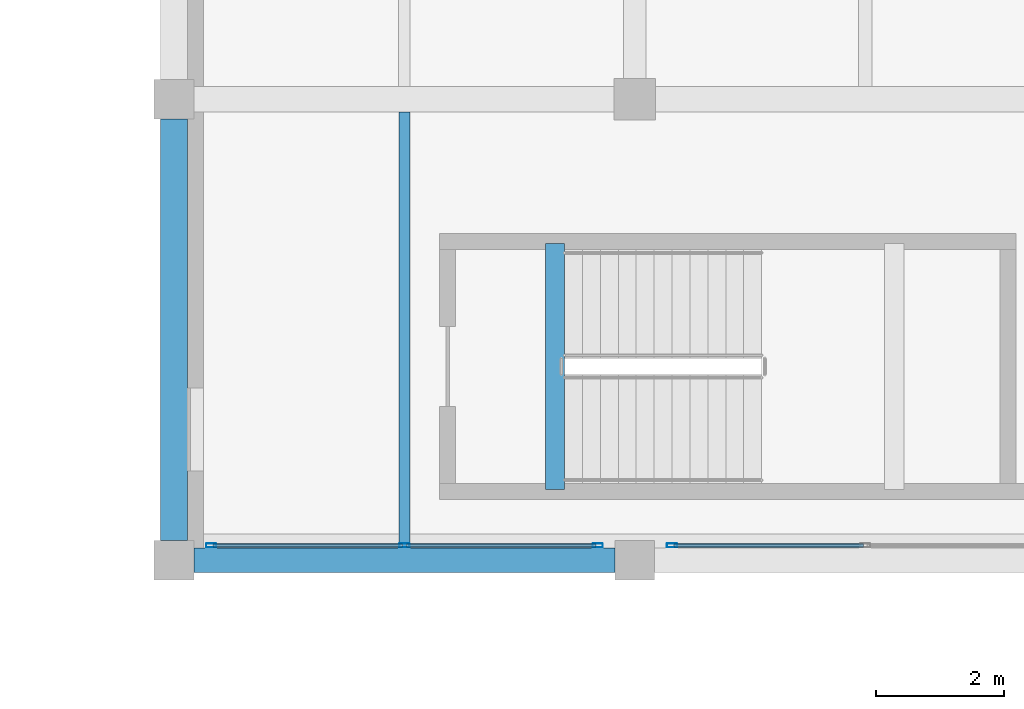
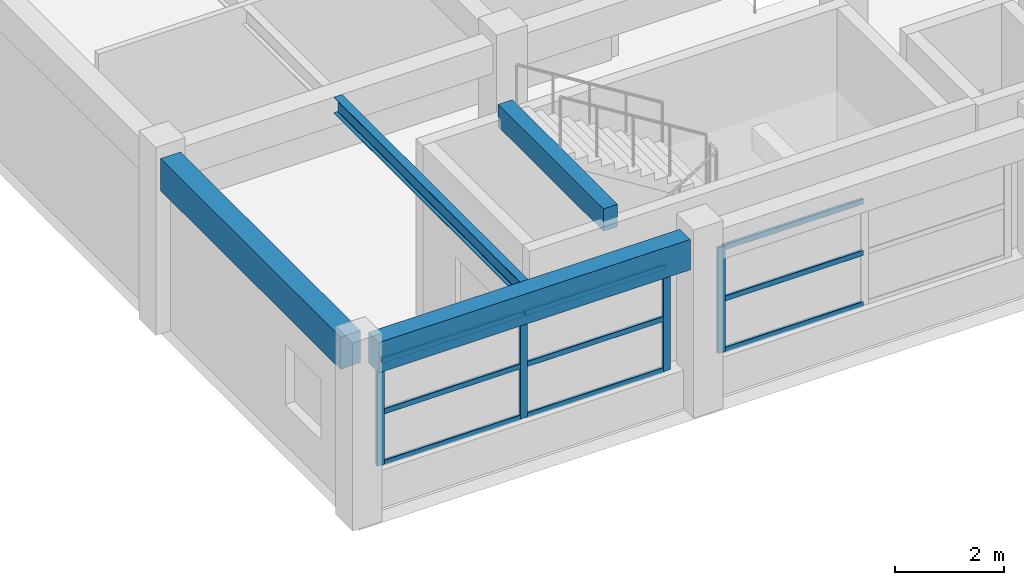
# One storey, part 20 of 67: 13 members, 4 beams, 2 elements without a shape of their own.
"""IFC4 building model written with IfcOpenShell, lengths in metres."""

from ifc_helpers import new_model, si_unit, direction, frame, origin, origin_2d, place, context, subcontext, project, spatial, rectangle, hollow_rectangle, i_section, extrude, material, material_profile, profile_set, type_object, element, aggregate, save


model = new_model("IFC4")

# Units and contexts
model_context = context("Model", 3, precision=1e-05, world=origin(), true_north=direction((0.0, 1.0)))
body_context = subcontext(model_context, "Body", "Model", "MODEL_VIEW")
ifc_project = project(units=[si_unit("LENGTHUNIT", "METRE"), si_unit("AREAUNIT", "SQUARE_METRE"), si_unit("VOLUMEUNIT", "CUBIC_METRE"), si_unit("PLANEANGLEUNIT", "RADIAN"), si_unit("MASSUNIT", "GRAM", prefix="KILO")], contexts=[model_context])

# Site, building, storey
site_placement = place(None, origin())
site = spatial("IfcSite", under=ifc_project, at=site_placement, CompositionType="ELEMENT")
building_placement = place(site_placement, origin())
building = spatial("IfcBuilding", under=site, at=building_placement, Name="Bramveld Media Centre", CompositionType="ELEMENT")
storey_placement = place(building_placement, frame((0.0, 0.0, 5.39990234375)))
storey = spatial("IfcBuildingStorey", under=building, at=storey_placement, Name="L01", CompositionType="ELEMENT", Elevation=5.39990234375)

# Beam
ifc_material_1 = material(Name="Concrete C40/50", Category="concrete")
ifc_material_profile_1 = material_profile(ifc_material_1, rectangle(XDim=0.300048828125, YDim=0.5, at=origin_2d()), Name="RC 300x500")
ifc_profile_set_1 = profile_set([ifc_material_profile_1], Name="Concrete C40/50")
beam_type_1 = type_object("IfcBeamType", Name="BM-INT-RC-300x500", PredefinedType="BEAM", material=ifc_profile_set_1)
beam_1_placement = place(storey_placement, frame((71.550048828125, 91.5, 3.9501953125), z_axis=(0.0, 1.0, 0.0), x_axis=(-1.0, 0.0, 0.0)))
element("IfcBeam", 1, at=beam_1_placement, inside=storey, type_object=beam_type_1, Name="ST-07 L02 stairwell landing trimmer beam", PredefinedType="BEAM", context=body_context, shape_type="SweptSolid", body=[
    extrude(rectangle(XDim=0.300048828125, YDim=0.5, at=origin_2d()), origin(), (0.0, 0.0, 1.0), 3.85009765625),
])

# Curtain wall, members
ifc_material_2 = material(Name="Thermally broken anodized bronze aluminium unitized curtain wall with solar-control triple glazing", Category="aluminium")
curtain_wall_type = type_object("IfcCurtainWallType", Name="CW-FACV6-6100x2350", PredefinedType="NOTDEFINED", material=ifc_material_2)
curtain_wall_1_placement = place(storey_placement, origin())
curtain_wall_1 = element("IfcCurtainWall", 2, at=curtain_wall_1_placement, inside=storey, type_object=curtain_wall_type, Name="V6 L01 S curtain wall bay 1", PredefinedType="NOTDEFINED")
ifc_material_3 = material(Name="Thermally broken anodized bronze aluminium EN AW-6063 T6 curtain-wall framing", Category="aluminium")
ifc_material_profile_2 = material_profile(ifc_material_3, hollow_rectangle(XDim=0.06005859375, YDim=0.159912109375, WallThickness=0.00390625, InnerFilletRadius=0.00390625, OuterFilletRadius=0.008056640625, at=origin_2d()), Name="AL-MULL 60x160")
ifc_profile_set_2 = profile_set([ifc_material_profile_2], Name="Thermally broken anodized bronze aluminium EN AW-6063 T6 curtain-wall framing")
member_type_1 = type_object("IfcMemberType", Name="CW-MULL-EXT", PredefinedType="MULLION", material=ifc_profile_set_2)
member_1_placement = place(storey_placement, frame((66.179931640625, 90.6298828125, 0.85009765625), z_axis=(0.0, 0.0, 1.0), x_axis=(0.0, 1.0, 0.0)))
member_1 = element("IfcMember", 3, at=member_1_placement, type_object=member_type_1, Name="CW-FA-6123 mullion 1", PredefinedType="MULLION", context=body_context, shape_type="SweptSolid", body=[
    extrude(hollow_rectangle(XDim=0.06005859375, YDim=0.159912109375, WallThickness=0.00390625, InnerFilletRadius=0.00390625, OuterFilletRadius=0.008056640625, at=origin_2d()), origin(), (0.0, 0.0, 1.0), 2.35009765625),
])
member_2_placement = place(storey_placement, frame((69.199951171875, 90.6298828125, 0.85009765625), z_axis=(0.0, 0.0, 1.0), x_axis=(0.0, 1.0, 0.0)))
member_2 = element("IfcMember", 4, at=member_2_placement, type_object=member_type_1, Name="CW-FA-6123 mullion 2", PredefinedType="MULLION", context=body_context, shape_type="SweptSolid", body=[
    extrude(hollow_rectangle(XDim=0.06005859375, YDim=0.159912109375, WallThickness=0.00390625, InnerFilletRadius=0.00390625, OuterFilletRadius=0.008056640625, at=origin_2d()), origin(), (0.0, 0.0, 1.0), 2.35009765625),
])
member_3_placement = place(storey_placement, frame((72.219970703125, 90.6298828125, 0.85009765625), z_axis=(0.0, 0.0, 1.0), x_axis=(0.0, 1.0, 0.0)))
member_3 = element("IfcMember", 5, at=member_3_placement, type_object=member_type_1, Name="CW-FA-6123 mullion 3", PredefinedType="MULLION", context=body_context, shape_type="SweptSolid", body=[
    extrude(hollow_rectangle(XDim=0.06005859375, YDim=0.159912109375, WallThickness=0.00390625, InnerFilletRadius=0.00390625, OuterFilletRadius=0.008056640625, at=origin_2d()), origin(), (0.0, 0.0, 1.0), 2.35009765625),
])

# Curtain wall, member
curtain_wall_2_placement = place(storey_placement, origin())
curtain_wall_2 = element("IfcCurtainWall", 6, at=curtain_wall_2_placement, inside=storey, type_object=curtain_wall_type, Name="V6 L01 S curtain wall bay 2", PredefinedType="NOTDEFINED")
member_4_placement = place(storey_placement, frame((73.3798828125, 90.6298828125, 0.85009765625), z_axis=(0.0, 0.0, 1.0), x_axis=(0.0, 1.0, 0.0)))
member_4 = element("IfcMember", 7, at=member_4_placement, type_object=member_type_1, Name="CW-FA-6123 mullion 1", PredefinedType="MULLION", context=body_context, shape_type="SweptSolid", body=[
    extrude(hollow_rectangle(XDim=0.06005859375, YDim=0.159912109375, WallThickness=0.00390625, InnerFilletRadius=0.00390625, OuterFilletRadius=0.008056640625, at=origin_2d()), origin(), (0.0, 0.0, 1.0), 2.35009765625),
])

# Member
ifc_material_4 = material(Name="Thermally broken anodized bronze aluminium EN AW-6063 T6 curtain-wall framing", Category="aluminium")
ifc_material_profile_3 = material_profile(ifc_material_4, hollow_rectangle(XDim=0.06005859375, YDim=0.1201171875, WallThickness=0.00341796875, InnerFilletRadius=0.00341796875, OuterFilletRadius=0.007080078125, at=origin_2d()), Name="AL-TRAN 60x120")
ifc_profile_set_3 = profile_set([ifc_material_profile_3], Name="Thermally broken anodized bronze aluminium EN AW-6063 T6 curtain-wall framing")
member_type_2 = type_object("IfcMemberType", Name="CW-TRAN-EXT", PredefinedType="USERDEFINED", material=ifc_profile_set_3)
member_5_placement = place(storey_placement, frame((66.2099609375, 90.6298828125, 0.880126953125), z_axis=(1.0, 0.0, 0.0), x_axis=(0.0, 1.0, 0.0)))
member_5 = element("IfcMember", 8, at=member_5_placement, type_object=member_type_2, Name="CW-FA-6123 transom 1.1", ObjectType="TRANSOM", PredefinedType="USERDEFINED", context=body_context, shape_type="SweptSolid", body=[
    extrude(hollow_rectangle(XDim=0.06005859375, YDim=0.1201171875, WallThickness=0.00341796875, InnerFilletRadius=0.00341796875, OuterFilletRadius=0.007080078125, at=origin_2d()), origin(), (0.0, 0.0, 1.0), 2.9599609375),
])

member_6_placement = place(storey_placement, frame((66.2099609375, 90.6298828125, 2.025146484375), z_axis=(1.0, 0.0, 0.0), x_axis=(0.0, 1.0, 0.0)))
member_6 = element("IfcMember", 9, at=member_6_placement, type_object=member_type_2, Name="CW-FA-6123 transom 1.2", ObjectType="TRANSOM", PredefinedType="USERDEFINED", context=body_context, shape_type="SweptSolid", body=[
    extrude(hollow_rectangle(XDim=0.06005859375, YDim=0.1201171875, WallThickness=0.00341796875, InnerFilletRadius=0.00341796875, OuterFilletRadius=0.007080078125, at=origin_2d()), origin(), (0.0, 0.0, 1.0), 2.9599609375),
])

member_7_placement = place(storey_placement, frame((66.2099609375, 90.6298828125, 3.170166015625), z_axis=(1.0, 0.0, 0.0), x_axis=(0.0, 1.0, 0.0)))
member_7 = element("IfcMember", 10, at=member_7_placement, type_object=member_type_2, Name="CW-FA-6123 transom 1.3", ObjectType="TRANSOM", PredefinedType="USERDEFINED", context=body_context, shape_type="SweptSolid", body=[
    extrude(hollow_rectangle(XDim=0.06005859375, YDim=0.1201171875, WallThickness=0.00341796875, InnerFilletRadius=0.00341796875, OuterFilletRadius=0.007080078125, at=origin_2d()), origin(), (0.0, 0.0, 1.0), 2.9599609375),
])

member_8_placement = place(storey_placement, frame((69.22998046875, 90.6298828125, 0.880126953125), z_axis=(1.0, 0.0, 0.0), x_axis=(0.0, 1.0, 0.0)))
member_8 = element("IfcMember", 11, at=member_8_placement, type_object=member_type_2, Name="CW-FA-6123 transom 2.1", ObjectType="TRANSOM", PredefinedType="USERDEFINED", context=body_context, shape_type="SweptSolid", body=[
    extrude(hollow_rectangle(XDim=0.06005859375, YDim=0.1201171875, WallThickness=0.00341796875, InnerFilletRadius=0.00341796875, OuterFilletRadius=0.007080078125, at=origin_2d()), origin(), (0.0, 0.0, 1.0), 2.9599609375),
])

member_9_placement = place(storey_placement, frame((69.22998046875, 90.6298828125, 2.025146484375), z_axis=(1.0, 0.0, 0.0), x_axis=(0.0, 1.0, 0.0)))
member_9 = element("IfcMember", 12, at=member_9_placement, type_object=member_type_2, Name="CW-FA-6123 transom 2.2", ObjectType="TRANSOM", PredefinedType="USERDEFINED", context=body_context, shape_type="SweptSolid", body=[
    extrude(hollow_rectangle(XDim=0.06005859375, YDim=0.1201171875, WallThickness=0.00341796875, InnerFilletRadius=0.00341796875, OuterFilletRadius=0.007080078125, at=origin_2d()), origin(), (0.0, 0.0, 1.0), 2.9599609375),
])

member_10_placement = place(storey_placement, frame((69.22998046875, 90.6298828125, 3.170166015625), z_axis=(1.0, 0.0, 0.0), x_axis=(0.0, 1.0, 0.0)))
member_10 = element("IfcMember", 13, at=member_10_placement, type_object=member_type_2, Name="CW-FA-6123 transom 2.3", ObjectType="TRANSOM", PredefinedType="USERDEFINED", context=body_context, shape_type="SweptSolid", body=[
    extrude(hollow_rectangle(XDim=0.06005859375, YDim=0.1201171875, WallThickness=0.00341796875, InnerFilletRadius=0.00341796875, OuterFilletRadius=0.007080078125, at=origin_2d()), origin(), (0.0, 0.0, 1.0), 2.9599609375),
])

aggregate(curtain_wall_1, [member_1, member_2, member_3, member_5, member_6, member_7, member_8, member_9, member_10])

member_11_placement = place(storey_placement, frame((73.409912109375, 90.6298828125, 0.880126953125), z_axis=(1.0, 0.0, 0.0), x_axis=(0.0, 1.0, 0.0)))
member_11 = element("IfcMember", 14, at=member_11_placement, type_object=member_type_2, Name="CW-FA-6123 transom 1.1", ObjectType="TRANSOM", PredefinedType="USERDEFINED", context=body_context, shape_type="SweptSolid", body=[
    extrude(hollow_rectangle(XDim=0.06005859375, YDim=0.1201171875, WallThickness=0.00341796875, InnerFilletRadius=0.00341796875, OuterFilletRadius=0.007080078125, at=origin_2d()), origin(), (0.0, 0.0, 1.0), 2.960205078125),
])

member_12_placement = place(storey_placement, frame((73.409912109375, 90.6298828125, 2.025146484375), z_axis=(1.0, 0.0, 0.0), x_axis=(0.0, 1.0, 0.0)))
member_12 = element("IfcMember", 15, at=member_12_placement, type_object=member_type_2, Name="CW-FA-6123 transom 1.2", ObjectType="TRANSOM", PredefinedType="USERDEFINED", context=body_context, shape_type="SweptSolid", body=[
    extrude(hollow_rectangle(XDim=0.06005859375, YDim=0.1201171875, WallThickness=0.00341796875, InnerFilletRadius=0.00341796875, OuterFilletRadius=0.007080078125, at=origin_2d()), origin(), (0.0, 0.0, 1.0), 2.960205078125),
])

member_13_placement = place(storey_placement, frame((73.409912109375, 90.6298828125, 3.170166015625), z_axis=(1.0, 0.0, 0.0), x_axis=(0.0, 1.0, 0.0)))
member_13 = element("IfcMember", 16, at=member_13_placement, type_object=member_type_2, Name="CW-FA-6123 transom 1.3", ObjectType="TRANSOM", PredefinedType="USERDEFINED", context=body_context, shape_type="SweptSolid", body=[
    extrude(hollow_rectangle(XDim=0.06005859375, YDim=0.1201171875, WallThickness=0.00341796875, InnerFilletRadius=0.00341796875, OuterFilletRadius=0.007080078125, at=origin_2d()), origin(), (0.0, 0.0, 1.0), 2.960205078125),
])

aggregate(curtain_wall_2, [member_4, member_11, member_12, member_13])

# Beams
ifc_material_5 = material(Name="Steel S355J2", Category="steel")
ifc_material_profile_4 = material_profile(ifc_material_5, i_section(OverallWidth=0.169921875, OverallDepth=0.360107421875, WebThickness=0.008056640625, FlangeThickness=0.0126953125, FilletRadius=0.01806640625, at=origin_2d()), Name="IPE 360")
ifc_profile_set_4 = profile_set([ifc_material_profile_4], Name="Steel S355J2")
beam_type_2 = type_object("IfcBeamType", Name="SBM-INT-IPE-360", PredefinedType="JOIST", material=ifc_profile_set_4)
beam_2_placement = place(storey_placement, frame((69.199951171875, 90.590087890625, 3.739990234375), z_axis=(0.0, 1.0, 0.0), x_axis=(-1.0, 0.0, 0.0)))
element("IfcBeam", 17, at=beam_2_placement, inside=storey, type_object=beam_type_2, Name="V6 L01 secondary floor joist 1046", PredefinedType="JOIST", context=body_context, shape_type="SweptSolid", body=[
    extrude(i_section(OverallWidth=0.169921875, OverallDepth=0.360107421875, WebThickness=0.008056640625, FlangeThickness=0.0126953125, FilletRadius=0.01806640625, at=origin_2d()), origin(), (0.0, 0.0, 1.0), 6.809814453125),
])
ifc_material_6 = material(Name="Concrete C40/50", Category="concrete")
ifc_material_profile_5 = material_profile(ifc_material_6, rectangle(XDim=0.3798828125, YDim=0.679931640625, at=origin_2d()), Name="RC 380x680")
ifc_profile_set_5 = profile_set([ifc_material_profile_5], Name="Concrete C40/50")
beam_type_3 = type_object("IfcBeamType", Name="SPANDREL-EXT-RC-380x680", PredefinedType="SPANDREL", material=ifc_profile_set_5)
beam_3_placement = place(storey_placement, frame((65.909912109375, 90.39990234375, 3.580078125), z_axis=(1.0, 0.0, 0.0), x_axis=(0.0, 1.0, 0.0)))
element("IfcBeam", 18, at=beam_3_placement, inside=storey, type_object=beam_type_3, Name="V6 L01 girder X-994", PredefinedType="SPANDREL", context=body_context, shape_type="SweptSolid", body=[
    extrude(rectangle(XDim=0.3798828125, YDim=0.679931640625, at=origin_2d()), origin(), (0.0, 0.0, 1.0), 6.580078125),
])
ifc_material_7 = material(Name="Concrete C40/50", Category="concrete")
ifc_material_profile_6 = material_profile(ifc_material_7, rectangle(XDim=0.419921875, YDim=0.719970703125, at=origin_2d()), Name="RC 420x720")
ifc_profile_set_6 = profile_set([ifc_material_profile_6], Name="Concrete C40/50")
beam_type_4 = type_object("IfcBeamType", Name="SPANDREL-EXT-RC-420x720", PredefinedType="SPANDREL", material=ifc_profile_set_6)
beam_4_placement = place(storey_placement, frame((65.60009765625, 90.7099609375, 3.56005859375), z_axis=(0.0, 1.0, 0.0), x_axis=(-1.0, 0.0, 0.0)))
element("IfcBeam", 19, at=beam_4_placement, inside=storey, type_object=beam_type_4, Name="V6 L01 girder Y-1022", PredefinedType="SPANDREL", context=body_context, shape_type="SweptSolid", body=[
    extrude(rectangle(XDim=0.419921875, YDim=0.719970703125, at=origin_2d()), origin(), (0.0, 0.0, 1.0), 6.580078125),
])

save(model, "model.ifc")
